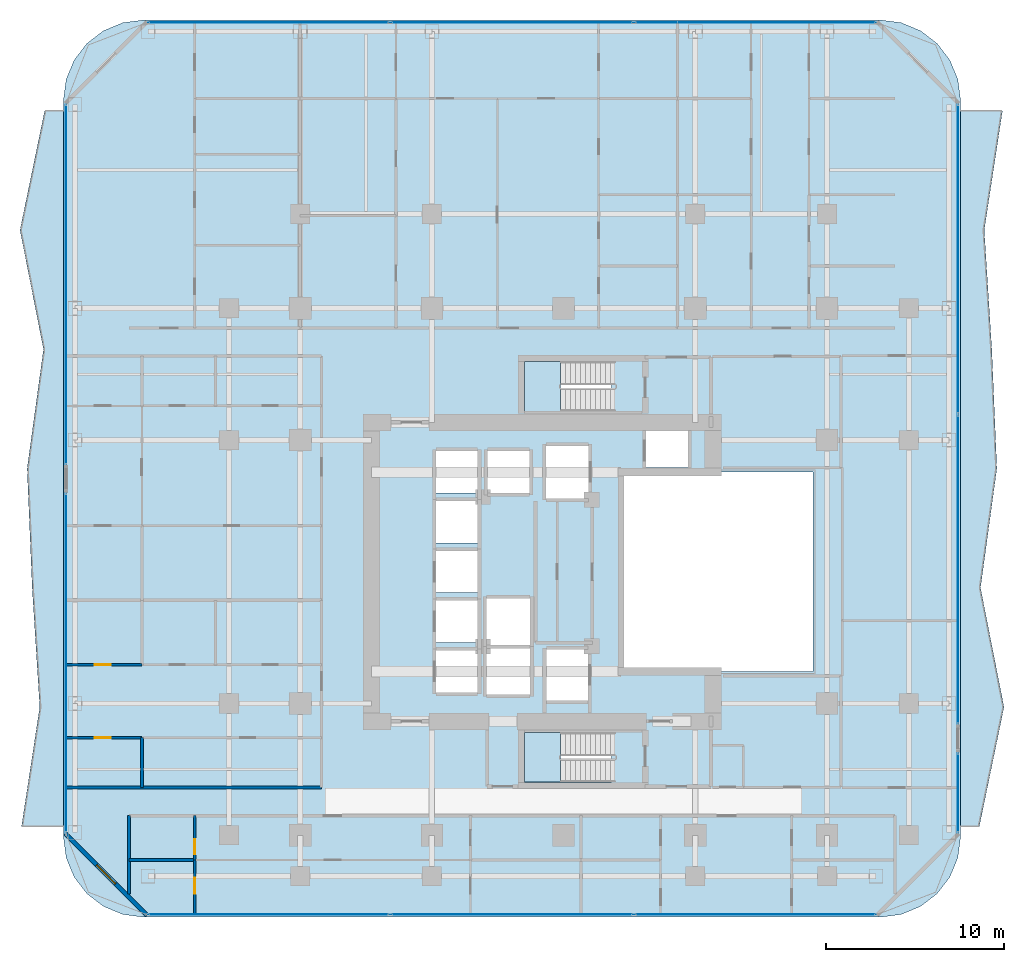
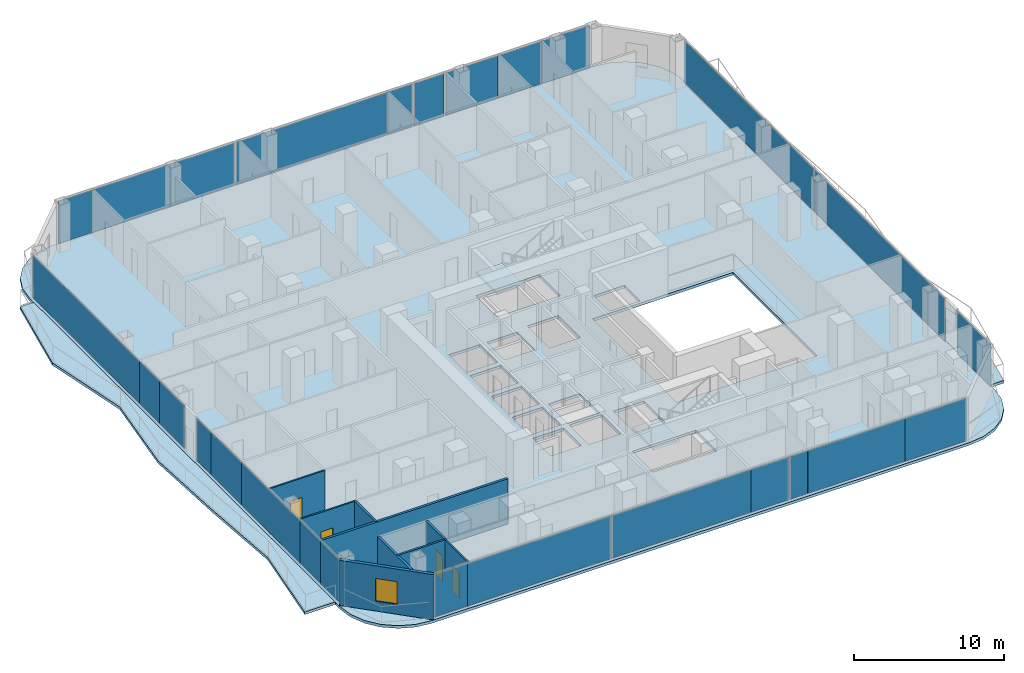
# One storey, part 18 of 27: 26 plates, 9 walls, 5 slabs, 4 doors, 1 window, 5 openings, 8 elements without a shape of their own.
"""IFC4 building model written with IfcOpenShell, lengths in metres."""

from ifc_helpers import new_model, si_unit, direction, frame, frame_2d, origin, origin_2d, place, context, subcontext, project, spatial, polyline, rectangle, outline, extrude, material, layer, layer_set, type_object, element, fill, aggregate, save


model = new_model("IFC4")

# Units and contexts
model_context = context("Model", 3, precision=1e-05, world=origin(), true_north=direction((0.0, 1.0)))
body_context = subcontext(model_context, "Body", "Model", "MODEL_VIEW")
ifc_project = project(units=[si_unit("LENGTHUNIT", "METRE"), si_unit("AREAUNIT", "SQUARE_METRE"), si_unit("VOLUMEUNIT", "CUBIC_METRE"), si_unit("PLANEANGLEUNIT", "RADIAN"), si_unit("MASSUNIT", "GRAM", prefix="KILO")], contexts=[model_context])

# Site, building, storey
site_placement = place(None, origin())
site = spatial("IfcSite", under=ifc_project, at=site_placement, CompositionType="ELEMENT")
building_placement = place(site_placement, origin())
building = spatial("IfcBuilding", under=site, at=building_placement, Name="Khorvyn Point Tower", CompositionType="ELEMENT")
storey_placement = place(building_placement, frame((0.0, 0.0, 96.89990234375)))
storey = spatial("IfcBuildingStorey", under=building, at=storey_placement, Name="L24", CompositionType="ELEMENT", Elevation=96.89990234375)

# Slabs
ifc_material_1 = material(Name="Concrete C35/45", Category="concrete")
ifc_layer_1 = layer(ifc_material_1, 0.219970703125)
ifc_layer_set_1 = layer_set([ifc_layer_1], Name="Concrete C35/45 Structural Floor Slab 220")
slab_type_1 = type_object("IfcSlabType", Name="Concrete C35/45 Structural Floor Slab 220", PredefinedType="FLOOR", material=ifc_layer_set_1)
slab_1_placement = place(storey_placement, frame((0.0, 0.0, -0.219970703125)))
element("IfcSlab", 1, at=slab_1_placement, inside=storey, type_object=slab_type_1, Name="L24 Main Structural Floor Slab", PredefinedType="FLOOR", context=body_context, shape_type="SweptSolid", body=[
    extrude(outline(polyline([(-23.60009765625, -19.39990234375), (-24.7646484375, -19.24658203125), (-25.85009765625, -18.797119140625), (-26.781982421875, -18.08203125), (-27.4970703125, -17.14990234375), (-27.94677734375, -16.064697265625), (-28.10009765625, -14.89990234375), (-28.10009765625, 26.5), (-27.94677734375, 27.664794921875), (-27.4970703125, 28.75), (-26.781982421875, 29.681884765625), (-25.85009765625, 30.397216796875), (-24.7646484375, 30.8466796875), (-23.60009765625, 31.0), (17.800048828125, 31.0), (18.964599609375, 30.8466796875), (20.050048828125, 30.397216796875), (20.98193359375, 29.681884765625), (21.697021484375, 28.75), (22.146728515625, 27.664794921875), (22.300048828125, 26.5), (22.300048828125, -14.89990234375), (22.146728515625, -16.064697265625), (21.697021484375, -17.14990234375), (20.98193359375, -18.08203125), (20.050048828125, -18.797119140625), (18.964599609375, -19.24658203125), (17.800048828125, -19.39990234375), (-23.60009765625, -19.39990234375)]), holes=[polyline([(-4.824951171875, -6.77490234375), (-4.824951171875, -4.425048828125), (-7.175048828125, -4.425048828125), (-7.175048828125, -6.77490234375), (-4.824951171875, -6.77490234375)]), polyline([(-4.324951171875, -6.89990234375), (-1.875, -6.89990234375), (-1.875, -4.300048828125), (-4.324951171875, -4.300048828125), (-4.324951171875, -6.89990234375)]), polyline([(-7.175048828125, -3.97509765625), (-4.824951171875, -3.97509765625), (-4.824951171875, -1.625), (-7.175048828125, -1.625), (-7.175048828125, -3.97509765625)]), polyline([(-7.175048828125, -1.175048828125), (-4.824951171875, -1.175048828125), (-4.824951171875, 1.175048828125), (-7.175048828125, 1.175048828125), (-7.175048828125, -1.175048828125)]), polyline([(-7.175048828125, 1.625), (-4.824951171875, 1.625), (-4.824951171875, 3.97509765625), (-7.175048828125, 3.97509765625), (-7.175048828125, 1.625)]), polyline([(-7.175048828125, 4.425048828125), (-4.824951171875, 4.425048828125), (-4.824951171875, 6.77490234375), (-7.175048828125, 6.77490234375), (-7.175048828125, 4.425048828125)]), polyline([(-4.27490234375, 4.425048828125), (-1.925048828125, 4.425048828125), (-1.925048828125, 6.77490234375), (-4.27490234375, 6.77490234375), (-4.27490234375, 4.425048828125)]), polyline([(2.679931640625, -11.820068359375), (2.679931640625, -9.02001953125), (-2.199951171875, -9.02001953125), (-2.199951171875, -11.820068359375), (2.679931640625, -11.820068359375)]), polyline([(-0.97509765625, -7.22509765625), (1.375, -7.22509765625), (1.375, -4.375), (-0.97509765625, -4.375), (-0.97509765625, -7.22509765625)]), polyline([(-4.324951171875, -4.10009765625), (-1.875, -4.10009765625), (-1.875, -1.5), (-4.324951171875, -1.5), (-4.324951171875, -4.10009765625)]), polyline([(3.199951171875, -5.60009765625), (14.0, -5.60009765625), (14.0, 5.60009765625), (3.199951171875, 5.60009765625), (3.199951171875, -5.60009765625)]), polyline([(-1.0, 4.125), (1.39990234375, 4.125), (1.39990234375, 7.074951171875), (-1.0, 7.074951171875), (-1.0, 4.125)]), polyline([(4.625, 5.85009765625), (6.97509765625, 5.85009765625), (6.97509765625, 7.905029296875), (4.625, 7.905029296875), (4.625, 5.85009765625)]), polyline([(-2.199951171875, 9.02001953125), (2.679931640625, 9.02001953125), (2.679931640625, 11.820068359375), (-2.199951171875, 11.820068359375), (-2.199951171875, 9.02001953125)])]), origin(), (0.0, 0.0, 1.0), 0.219970703125),
])
ifc_material_2 = material(Name="Concrete C40/50", Category="concrete")
ifc_layer_2 = layer(ifc_material_2, 0.2099609375)
ifc_layer_set_2 = layer_set([ifc_layer_2], Name="Concrete C40/50 Rippling Balcony Slab 210")
slab_type_2 = type_object("IfcSlabType", Name="Concrete C40/50 Rippling Balcony Slab 210", PredefinedType="USERDEFINED", material=ifc_layer_set_2)
slab_2_placement = place(storey_placement, frame((0.0, 0.0, -0.2099609375)))
element("IfcSlab", 2, at=slab_2_placement, inside=storey, type_object=slab_type_2, Name="L24 East Sinusoidal Rippling Balcony", ObjectType="BALCONY", PredefinedType="USERDEFINED", context=body_context, shape_type="SweptSolid", body=[
    extrude(outline(polyline([(22.300048828125, -14.300048828125), (23.355224609375, -14.300048828125), (24.739501953125, -7.60009765625), (23.419921875, -0.89990234375), (24.338134765625, 5.800048828125), (24.055419921875, 12.5), (23.630615234375, 19.199951171875), (24.654541015625, 25.89990234375), (22.300048828125, 25.89990234375), (22.300048828125, -14.300048828125)])), origin(), (0.0, 0.0, 1.0), 0.2099609375),
])
slab_3_placement = place(storey_placement, frame((0.0, 0.0, -0.2099609375)))
element("IfcSlab", 3, at=slab_3_placement, inside=storey, type_object=slab_type_2, Name="L24 West Sinusoidal Rippling Balcony", ObjectType="BALCONY", PredefinedType="USERDEFINED", context=body_context, shape_type="SweptSolid", body=[
    extrude(outline(polyline([(-28.10009765625, 25.89990234375), (-29.1552734375, 25.89990234375), (-30.53955078125, 19.199951171875), (-29.219970703125, 12.5), (-30.13818359375, 5.800048828125), (-29.85546875, -0.89990234375), (-29.4306640625, -7.60009765625), (-30.45458984375, -14.300048828125), (-28.10009765625, -14.300048828125), (-28.10009765625, 25.89990234375)])), origin(), (0.0, 0.0, 1.0), 0.2099609375),
])

# Stair, slab
stair_type = type_object("IfcStairType", Name="Tower Concrete C40/50 Dogleg Exit Stair", PredefinedType="HALF_TURN_STAIR", material=ifc_material_2)
stair_1_placement = place(storey_placement, origin())
stair_1 = element("IfcStair", 4, at=stair_1_placement, inside=storey, type_object=stair_type, Name="L24 Tower Smokeproof Exit Stair South", PredefinedType="HALF_TURN_STAIR")
ifc_layer_3 = layer(ifc_material_2, 0.199951171875)
ifc_layer_set_3 = layer_set([ifc_layer_3], Name="Concrete C40/50 Stair Landing Slab 200")
slab_type_3 = type_object("IfcSlabType", Name="Concrete C40/50 Stair Landing Slab 200", PredefinedType="LANDING", material=ifc_layer_set_3)
slab_4_placement = place(storey_placement, frame((0.0, 0.0, 1.75)))
slab_4 = element("IfcSlab", 5, at=slab_4_placement, type_object=slab_type_3, Name="ST-01 landing 1", PredefinedType="LANDING", context=body_context, shape_type="SweptSolid", body=[
    extrude(outline(polyline([(-0.179931640625, -9.02001953125), (-2.199951171875, -9.02001953125), (-2.199951171875, -11.820068359375), (-0.179931640625, -11.820068359375), (-0.179931640625, -9.02001953125)])), origin(), (0.0, 0.0, 1.0), 0.2001953125),
])
aggregate(stair_1, [slab_4])

stair_2_placement = place(storey_placement, origin())
stair_2 = element("IfcStair", 6, at=stair_2_placement, inside=storey, type_object=stair_type, Name="L24 Tower Smokeproof Exit Stair North", PredefinedType="HALF_TURN_STAIR")
slab_5_placement = place(storey_placement, frame((0.0, 0.0, 1.75)))
slab_5 = element("IfcSlab", 7, at=slab_5_placement, type_object=slab_type_3, Name="ST-02 landing 1", PredefinedType="LANDING", context=body_context, shape_type="SweptSolid", body=[
    extrude(outline(polyline([(-0.179931640625, 11.820068359375), (-2.199951171875, 11.820068359375), (-2.199951171875, 9.02001953125), (-0.179931640625, 9.02001953125), (-0.179931640625, 11.820068359375)])), origin(), (0.0, 0.0, 1.0), 0.2001953125),
])
aggregate(stair_2, [slab_5])

# Curtain wall, plates
ifc_material_3 = material(Name="Anodised aluminium 6063-T6 and laminated Low-E glass", Category="aluminium")
ifc_layer_4 = layer(ifc_material_3, 0.18994140625)
ifc_layer_set_4 = layer_set([ifc_layer_4], Name="Stick-Built Finned Residential Curtain Wall CW-SYS-02")
curtain_wall_type = type_object("IfcCurtainWallType", Name="Stick-Built Finned Residential Curtain Wall CW-SYS-02", PredefinedType="NOTDEFINED", material=ifc_layer_set_4)
curtain_wall_1_placement = place(storey_placement, origin())
curtain_wall_1 = element("IfcCurtainWall", 8, at=curtain_wall_1_placement, inside=storey, type_object=curtain_wall_type, Name="Curtain Wall", PredefinedType="NOTDEFINED")
ifc_material_4 = material(Name="Laminated Low-E insulated glass", Category="glass")
ifc_layer_5 = layer(ifc_material_4, 0.028076171875)
ifc_layer_set_5 = layer_set([ifc_layer_5], Name="Tempered Low-E Vision Glazing Panel CW-GL28")
plate_type = type_object("IfcPlateType", Name="Tempered Low-E Vision Glazing Panel CW-GL28", PredefinedType="CURTAIN_PANEL", material=ifc_layer_set_5)
plate_1_placement = place(storey_placement, frame((4.695068359375, -19.25, 0.10009765625), z_axis=(0.0, 0.0, 1.0), x_axis=(-1.0, 0.0, 0.0)))
plate_1 = element("IfcPlate", 9, at=plate_1_placement, type_object=plate_type, Name="Panel", PredefinedType="CURTAIN_PANEL", context=body_context, shape_type="SweptSolid", body=[
    extrude(rectangle(XDim=1.382080078125, YDim=0.028076171875, at=origin_2d()), origin(), (0.0, 0.0, 1.0), 3.47998046875),
])
plate_2_placement = place(storey_placement, frame((9.132080078125, -19.25, 0.10009765625), z_axis=(0.0, 0.0, 1.0), x_axis=(-1.0, 0.0, 0.0)))
plate_2 = element("IfcPlate", 10, at=plate_2_placement, type_object=plate_type, Name="Panel", PredefinedType="CURTAIN_PANEL", context=body_context, shape_type="SweptSolid", body=[
    extrude(rectangle(XDim=7.47607421875, YDim=0.028076171875, at=origin_2d()), origin(), (0.0, 0.0, 1.0), 3.47998046875),
])
plate_3_placement = place(storey_placement, frame((15.2119140625, -19.25, 0.10009765625), z_axis=(0.0, 0.0, 1.0), x_axis=(-1.0, 0.0, 0.0)))
plate_3 = element("IfcPlate", 11, at=plate_3_placement, type_object=plate_type, Name="Panel", PredefinedType="CURTAIN_PANEL", context=body_context, shape_type="SweptSolid", body=[
    extrude(rectangle(XDim=4.66796875, YDim=0.028076171875, at=origin_2d()), origin(), (0.0, 0.0, 1.0), 3.47998046875),
])
plate_4_placement = place(storey_placement, frame((-4.3330078125, -19.25, 0.10009765625), z_axis=(0.0, 0.0, 1.0), x_axis=(-1.0, 0.0, 0.0)))
plate_4 = element("IfcPlate", 12, at=plate_4_placement, type_object=plate_type, Name="Panel", PredefinedType="CURTAIN_PANEL", context=body_context, shape_type="SweptSolid", body=[
    extrude(rectangle(XDim=10.72607421875, YDim=0.028076171875, at=origin_2d()), origin(), (0.0, 0.0, 1.0), 3.47998046875),
])
plate_5_placement = place(storey_placement, frame((2.467041015625, -19.25, 0.10009765625), z_axis=(0.0, 0.0, 1.0), x_axis=(-1.0, 0.0, 0.0)))
plate_5 = element("IfcPlate", 13, at=plate_5_placement, type_object=plate_type, Name="Panel", PredefinedType="CURTAIN_PANEL", context=body_context, shape_type="SweptSolid", body=[
    extrude(rectangle(XDim=2.85791015625, YDim=0.028076171875, at=origin_2d()), origin(), (0.0, 0.0, 1.0), 3.47998046875),
])
plate_6_placement = place(storey_placement, frame((-22.0673828125, -19.25, 0.10009765625), z_axis=(0.0, 0.0, 1.0), x_axis=(-1.0, 0.0, 0.0)))
plate_6 = element("IfcPlate", 14, at=plate_6_placement, type_object=plate_type, Name="Panel", PredefinedType="CURTAIN_PANEL", context=body_context, shape_type="SweptSolid", body=[
    extrude(rectangle(XDim=2.556884765625, YDim=0.028076171875, at=origin_2d()), origin(), (0.0, 0.0, 1.0), 3.47998046875),
])
plate_7_placement = place(storey_placement, frame((-15.29248046875, -19.25, 0.10009765625), z_axis=(0.0, 0.0, 1.0), x_axis=(-1.0, 0.0, 0.0)))
plate_7 = element("IfcPlate", 15, at=plate_7_placement, type_object=plate_type, Name="Panel", PredefinedType="CURTAIN_PANEL", context=body_context, shape_type="SweptSolid", body=[
    extrude(rectangle(XDim=10.97705078125, YDim=0.028076171875, at=origin_2d()), origin(), (0.0, 0.0, 1.0), 3.47998046875),
])
aggregate(curtain_wall_1, [plate_1, plate_2, plate_3, plate_4, plate_5, plate_6, plate_7])

curtain_wall_2_placement = place(storey_placement, origin())
curtain_wall_2 = element("IfcCurtainWall", 16, at=curtain_wall_2_placement, inside=storey, type_object=curtain_wall_type, Name="Curtain Wall", PredefinedType="NOTDEFINED")
plate_8_placement = place(storey_placement, frame((-19.049072265625, 30.85009765625, 0.10009765625), z_axis=(0.0, 0.0, 1.0), x_axis=(1.0, 0.0, 0.0)))
plate_8 = element("IfcPlate", 17, at=plate_8_placement, type_object=plate_type, Name="Panel", PredefinedType="CURTAIN_PANEL", context=body_context, shape_type="SweptSolid", body=[
    extrude(rectangle(XDim=8.593994140625, YDim=0.028076171875, at=origin_2d()), origin(), (0.0, 0.0, 1.0), 3.47998046875),
])
plate_9_placement = place(storey_placement, frame((-12.27392578125, 30.85009765625, 0.10009765625), z_axis=(0.0, 0.0, 1.0), x_axis=(1.0, 0.0, 0.0)))
plate_9 = element("IfcPlate", 18, at=plate_9_placement, type_object=plate_type, Name="Panel", PredefinedType="CURTAIN_PANEL", context=body_context, shape_type="SweptSolid", body=[
    extrude(rectangle(XDim=4.93994140625, YDim=0.028076171875, at=origin_2d()), origin(), (0.0, 0.0, 1.0), 3.47998046875),
])
plate_10_placement = place(storey_placement, frame((-3.83642578125, 30.85009765625, 0.10009765625), z_axis=(0.0, 0.0, 1.0), x_axis=(1.0, 0.0, 0.0)))
plate_10 = element("IfcPlate", 19, at=plate_10_placement, type_object=plate_type, Name="Panel", PredefinedType="CURTAIN_PANEL", context=body_context, shape_type="SweptSolid", body=[
    extrude(rectangle(XDim=11.718994140625, YDim=0.028076171875, at=origin_2d()), origin(), (0.0, 0.0, 1.0), 3.47998046875),
])
plate_11_placement = place(storey_placement, frame((2.96337890625, 30.85009765625, 0.10009765625), z_axis=(0.0, 0.0, 1.0), x_axis=(1.0, 0.0, 0.0)))
plate_11 = element("IfcPlate", 20, at=plate_11_placement, type_object=plate_type, Name="Panel", PredefinedType="CURTAIN_PANEL", context=body_context, shape_type="SweptSolid", body=[
    extrude(rectangle(XDim=1.864990234375, YDim=0.028076171875, at=origin_2d()), origin(), (0.0, 0.0, 1.0), 3.47998046875),
])
plate_12_placement = place(storey_placement, frame((5.172119140625, 30.85009765625, 0.10009765625), z_axis=(0.0, 0.0, 1.0), x_axis=(1.0, 0.0, 0.0)))
plate_12 = element("IfcPlate", 21, at=plate_12_placement, type_object=plate_type, Name="Panel", PredefinedType="CURTAIN_PANEL", context=body_context, shape_type="SweptSolid", body=[
    extrude(rectangle(XDim=2.3359375, YDim=0.028076171875, at=origin_2d()), origin(), (0.0, 0.0, 1.0), 3.47998046875),
])
plate_13_placement = place(storey_placement, frame((8.468505859375, 30.85009765625, 0.10009765625), z_axis=(0.0, 0.0, 1.0), x_axis=(1.0, 0.0, 0.0)))
plate_13 = element("IfcPlate", 22, at=plate_13_placement, type_object=plate_type, Name="Panel", PredefinedType="CURTAIN_PANEL", context=body_context, shape_type="SweptSolid", body=[
    extrude(rectangle(XDim=4.0009765625, YDim=0.028076171875, at=origin_2d()), origin(), (0.0, 0.0, 1.0), 3.47998046875),
])
plate_14_placement = place(storey_placement, frame((12.157958984375, 30.85009765625, 0.10009765625), z_axis=(0.0, 0.0, 1.0), x_axis=(1.0, 0.0, 0.0)))
plate_14 = element("IfcPlate", 23, at=plate_14_placement, type_object=plate_type, Name="Panel", PredefinedType="CURTAIN_PANEL", context=body_context, shape_type="SweptSolid", body=[
    extrude(rectangle(XDim=3.362060546875, YDim=0.028076171875, at=origin_2d()), origin(), (0.0, 0.0, 1.0), 3.47998046875),
])
plate_15_placement = place(storey_placement, frame((15.696533203125, 30.85009765625, 0.10009765625), z_axis=(0.0, 0.0, 1.0), x_axis=(1.0, 0.0, 0.0)))
plate_15 = element("IfcPlate", 24, at=plate_15_placement, type_object=plate_type, Name="Panel", PredefinedType="CURTAIN_PANEL", context=body_context, shape_type="SweptSolid", body=[
    extrude(rectangle(XDim=3.698974609375, YDim=0.028076171875, at=origin_2d()), origin(), (0.0, 0.0, 1.0), 3.47998046875),
])
aggregate(curtain_wall_2, [plate_8, plate_9, plate_10, plate_11, plate_12, plate_13, plate_14, plate_15])

curtain_wall_3_placement = place(storey_placement, origin())
curtain_wall_3 = element("IfcCurtainWall", 25, at=curtain_wall_3_placement, inside=storey, type_object=curtain_wall_type, Name="Curtain Wall", PredefinedType="NOTDEFINED")
plate_16_placement = place(storey_placement, frame((-27.949951171875, -13.35498046875, 0.10009765625), z_axis=(0.0, 0.0, 1.0), x_axis=(0.0, 1.0, 0.0)))
plate_16 = element("IfcPlate", 26, at=plate_16_placement, type_object=plate_type, Name="Panel", PredefinedType="CURTAIN_PANEL", context=body_context, shape_type="SweptSolid", body=[
    extrude(rectangle(XDim=2.58203125, YDim=0.028076171875, at=origin_2d()), origin(), (0.0, 0.0, 1.0), 3.47998046875),
])
plate_17_placement = place(storey_placement, frame((-27.949951171875, -10.719970703125, 0.10009765625), z_axis=(0.0, 0.0, 1.0), x_axis=(0.0, 1.0, 0.0)))
plate_17 = element("IfcPlate", 27, at=plate_17_placement, type_object=plate_type, Name="Panel", PredefinedType="CURTAIN_PANEL", context=body_context, shape_type="SweptSolid", body=[
    extrude(rectangle(XDim=2.672119140625, YDim=0.028076171875, at=origin_2d()), origin(), (0.0, 0.0, 1.0), 3.47998046875),
])
plate_18_placement = place(storey_placement, frame((-27.949951171875, -5.4599609375, 0.10009765625), z_axis=(0.0, 0.0, 1.0), x_axis=(0.0, 1.0, 0.0)))
plate_18 = element("IfcPlate", 28, at=plate_18_placement, type_object=plate_type, Name="Panel", PredefinedType="CURTAIN_PANEL", context=body_context, shape_type="SweptSolid", body=[
    extrude(rectangle(XDim=7.83203125, YDim=0.028076171875, at=origin_2d()), origin(), (0.0, 0.0, 1.0), 3.47998046875),
])
plate_19_placement = place(storey_placement, frame((-27.949951171875, 0.49560546875, 0.10009765625), z_axis=(0.0, 0.0, 1.0), x_axis=(0.0, 1.0, 0.0)))
plate_19 = element("IfcPlate", 29, at=plate_19_placement, type_object=plate_type, Name="Panel", PredefinedType="CURTAIN_PANEL", context=body_context, shape_type="SweptSolid", body=[
    extrude(rectangle(XDim=4.06298828125, YDim=0.028076171875, at=origin_2d()), origin(), (0.0, 0.0, 1.0), 3.47998046875),
])
plate_20_placement = place(storey_placement, frame((-27.949951171875, 3.46044921875, 0.10009765625), z_axis=(0.0, 0.0, 1.0), x_axis=(0.0, 1.0, 0.0)))
plate_20 = element("IfcPlate", 30, at=plate_20_placement, type_object=plate_type, Name="Panel", PredefinedType="CURTAIN_PANEL", context=body_context, shape_type="SweptSolid", body=[
    extrude(rectangle(XDim=1.85107421875, YDim=0.028076171875, at=origin_2d()), origin(), (0.0, 0.0, 1.0), 3.47998046875),
])
aggregate(curtain_wall_3, [plate_16, plate_17, plate_18, plate_19, plate_20])

curtain_wall_4_placement = place(storey_placement, origin())
curtain_wall_4 = element("IfcCurtainWall", 31, at=curtain_wall_4_placement, inside=storey, type_object=curtain_wall_type, Name="Curtain Wall", PredefinedType="NOTDEFINED")
plate_21_placement = place(storey_placement, frame((-27.949951171875, 7.705078125, 0.10009765625), z_axis=(0.0, 0.0, 1.0), x_axis=(0.0, 1.0, 0.0)))
plate_21 = element("IfcPlate", 32, at=plate_21_placement, type_object=plate_type, Name="Panel", PredefinedType="CURTAIN_PANEL", context=body_context, shape_type="SweptSolid", body=[
    extrude(rectangle(XDim=3.342041015625, YDim=0.028076171875, at=origin_2d()), origin(), (0.0, 0.0, 1.0), 3.47998046875),
])
plate_22_placement = place(storey_placement, frame((-27.949951171875, 10.719970703125, 0.10009765625), z_axis=(0.0, 0.0, 1.0), x_axis=(0.0, 1.0, 0.0)))
plate_22 = element("IfcPlate", 33, at=plate_22_placement, type_object=plate_type, Name="Panel", PredefinedType="CURTAIN_PANEL", context=body_context, shape_type="SweptSolid", body=[
    extrude(rectangle(XDim=2.672119140625, YDim=0.028076171875, at=origin_2d()), origin(), (0.0, 0.0, 1.0), 3.47998046875),
])
plate_23_placement = place(storey_placement, frame((-27.949951171875, 19.155029296875, 0.10009765625), z_axis=(0.0, 0.0, 1.0), x_axis=(0.0, 1.0, 0.0)))
plate_23 = element("IfcPlate", 34, at=plate_23_placement, type_object=plate_type, Name="Panel", PredefinedType="CURTAIN_PANEL", context=body_context, shape_type="SweptSolid", body=[
    extrude(rectangle(XDim=14.181884765625, YDim=0.028076171875, at=origin_2d()), origin(), (0.0, 0.0, 1.0), 3.47998046875),
])
aggregate(curtain_wall_4, [plate_21, plate_22, plate_23])

curtain_wall_5_placement = place(storey_placement, origin())
curtain_wall_5 = element("IfcCurtainWall", 35, at=curtain_wall_5_placement, inside=storey, type_object=curtain_wall_type, Name="Curtain Wall", PredefinedType="NOTDEFINED")
plate_24_placement = place(storey_placement, frame((22.14990234375, 17.57568359375, 0.10009765625), z_axis=(0.0, 0.0, 1.0), x_axis=(0.0, -1.0, 0.0)))
plate_24 = element("IfcPlate", 36, at=plate_24_placement, type_object=plate_type, Name="Panel", PredefinedType="CURTAIN_PANEL", context=body_context, shape_type="SweptSolid", body=[
    extrude(rectangle(XDim=17.348388671875, YDim=0.028076171875, at=origin_2d()), origin(), (0.0, 0.0, 1.0), 3.47998046875),
])
plate_25_placement = place(storey_placement, frame((22.14990234375, 0.127197265625, 0.10009765625), z_axis=(0.0, 0.0, 1.0), x_axis=(0.0, -1.0, 0.0)))
plate_25 = element("IfcPlate", 37, at=plate_25_placement, type_object=plate_type, Name="Panel", PredefinedType="CURTAIN_PANEL", context=body_context, shape_type="SweptSolid", body=[
    extrude(rectangle(XDim=17.348388671875, YDim=0.028076171875, at=origin_2d()), origin(), (0.0, 0.0, 1.0), 3.47998046875),
])
aggregate(curtain_wall_5, [plate_24, plate_25])

# Curtain wall, plate
curtain_wall_6_placement = place(storey_placement, origin())
curtain_wall_6 = element("IfcCurtainWall", 38, at=curtain_wall_6_placement, inside=storey, type_object=curtain_wall_type, Name="Curtain Wall", PredefinedType="NOTDEFINED")
plate_26_placement = place(storey_placement, frame((22.14990234375, -12.41845703125, 0.10009765625), z_axis=(0.0, 0.0, 1.0), x_axis=(0.0, -1.0, 0.0)))
plate_26 = element("IfcPlate", 39, at=plate_26_placement, type_object=plate_type, Name="Panel", PredefinedType="CURTAIN_PANEL", context=body_context, shape_type="SweptSolid", body=[
    extrude(rectangle(XDim=4.462890625, YDim=0.028076171875, at=origin_2d()), origin(), (0.0, 0.0, 1.0), 3.47998046875),
])
aggregate(curtain_wall_6, [plate_26])

# Walls
ifc_material_5 = material(Name="Double acoustic gypsum on twin steel stud", Category="steel")
ifc_layer_6 = layer(ifc_material_5, 0.179931640625)
ifc_layer_set_6 = layer_set([ifc_layer_6], Name="Acoustic Double-Stud Apartment Demising Wall 180")
wall_type_1 = type_object("IfcWallType", Name="Acoustic Double-Stud Apartment Demising Wall 180", PredefinedType="PARTITIONING", material=ifc_layer_set_6)
wall_1_placement = place(storey_placement, frame((-24.419921875, -18.110107421875, 0.0), z_axis=(0.0, 0.0, 1.0), x_axis=(0.0, 1.0, 0.0)))
element("IfcWall", 40, at=wall_1_placement, inside=storey, type_object=wall_type_1, Name="Wall", PredefinedType="PARTITIONING", context=body_context, shape_type="SweptSolid", body=[
    extrude(rectangle(XDim=4.41015625, YDim=0.179931640625, at=frame_2d((2.205078125, 0.0))), origin(), (0.0, 0.0, 1.0), 3.68017578125),
])
wall_2_placement = place(storey_placement, frame((-27.929931640625, -12.1201171875, 0.0), z_axis=(0.0, 0.0, 1.0), x_axis=(1.0, 0.0, 0.0)))
element("IfcWall", 41, at=wall_2_placement, inside=storey, type_object=wall_type_1, Name="Wall", PredefinedType="PARTITIONING", context=body_context, shape_type="SweptSolid", body=[
    extrude(rectangle(XDim=14.329833984375, YDim=0.179931640625, at=frame_2d((7.1650390625, 0.0))), origin(), (0.0, 0.0, 1.0), 3.68017578125),
])

# Wall, opening, window
ifc_material_6 = material(Name="Pale anodised aluminium rainscreen on steel stud", Category="steel")
ifc_layer_7 = layer(ifc_material_6, 0.239990234375)
ifc_layer_set_7 = layer_set([ifc_layer_7], Name="Anodised Aluminium Insulated Corner Spandrel Wall 240")
wall_type_2 = type_object("IfcWallType", Name="Anodised Aluminium Insulated Corner Spandrel Wall 240", PredefinedType="SOLIDWALL", material=ifc_layer_set_7)
wall_3_placement = place(storey_placement, frame((-23.40771484375, -19.29248046875, 0.0), z_axis=(0.0, 0.0, 1.0), x_axis=(-0.707087954376, 0.707125607496, 0.0)))
wall_3 = element("IfcWall", 42, at=wall_3_placement, inside=storey, type_object=wall_type_2, Name="L24 Rounded Corner Wall SW", PredefinedType="SOLIDWALL", context=body_context, shape_type="SweptSolid", body=[
    extrude(rectangle(XDim=6.48388671875, YDim=0.239990234375, at=frame_2d((3.241943359375, 0.0))), origin(), (0.0, 0.0, 1.0), 3.68017578125),
])
opening_1_placement = place(wall_3_placement, frame((2.491943359375, 0.0, 0.800048828125)))
opening_1 = element("IfcOpeningElement", 43, at=opening_1_placement, cuts=wall_3, Name="Opening WN-1518", PredefinedType="OPENING", context=body_context, shape_type="SweptSolid", body=[
    extrude(rectangle(XDim=1.5, YDim=1.85009765625, at=frame_2d((0.75, 0.925048828125))), frame((0.0, 0.1298828125, 0.0), z_axis=(0.0, -1.0, 0.0), x_axis=(1.0, 0.0, 0.0)), (0.0, 0.0, 1.0), 0.260009765625),
])
window_type = type_object("IfcWindowType", Name="Anodised Aluminium Rounded-Corner Panoramic Window 1500x1850", PartitioningType="SINGLE_PANEL", PredefinedType="WINDOW", material=ifc_material_3)
window_placement = place(opening_1_placement, origin())
window = element("IfcWindow", 44, at=window_placement, inside=storey, type_object=window_type, Name="L24 Corner Panoramic Window SW", OverallHeight=1.85009765625, OverallWidth=1.5, PartitioningType="SINGLE_PANEL", PredefinedType="WINDOW", context=body_context, shape_type="SweptSolid", body=[
    extrude(rectangle(XDim=1.5, YDim=1.85009765625, at=frame_2d((0.75, 0.925048828125))), frame((0.0, 0.030029296875, 0.0), z_axis=(0.0, -1.0, 0.0), x_axis=(1.0, 0.0, 0.0)), (0.0, 0.0, 1.0), 0.06005859375),
])
fill(opening_1, window)

# Wall, opening, door
ifc_material_7 = material(Name="Gypsum plasterboard on steel stud", Category="steel")
ifc_layer_8 = layer(ifc_material_7, 0.1201171875)
ifc_layer_set_8 = layer_set([ifc_layer_8], Name="Gypsum Acoustic Stud Room Partition Wall 120")
wall_type_3 = type_object("IfcWallType", Name="Gypsum Acoustic Stud Room Partition Wall 120", PredefinedType="PARTITIONING", material=ifc_layer_set_8)
wall_4_placement = place(storey_placement, frame((-20.72509765625, -19.22998046875, 0.0), z_axis=(0.0, 0.0, 1.0), x_axis=(0.0, 1.0, 0.0)))
wall_4 = element("IfcWall", 45, at=wall_4_placement, inside=storey, type_object=wall_type_3, Name="Wall", PredefinedType="PARTITIONING", context=body_context, shape_type="SweptSolid", body=[
    extrude(rectangle(XDim=3.0400390625, YDim=0.1201171875, at=frame_2d((1.52001953125, 0.0))), origin(), (0.0, 0.0, 1.0), 3.68017578125),
])
opening_2_placement = place(wall_4_placement, frame((1.152587890625, 0.0, 0.0)))
opening_2 = element("IfcOpeningElement", 46, at=opening_2_placement, cuts=wall_4, Name="Opening ID-RM90", PredefinedType="OPENING", context=body_context, shape_type="SweptSolid", body=[
    extrude(rectangle(XDim=0.89990234375, YDim=2.10009765625, at=frame_2d((0.449951171875, 1.050048828125))), frame((0.0, 0.070068359375, 0.0), z_axis=(0.0, -1.0, 0.0), x_axis=(1.0, 0.0, 0.0)), (0.0, 0.0, 1.0), 0.14013671875),
])
ifc_material_8 = material(Name="Engineered oak veneer timber", Category="wood")
door_type_1 = type_object("IfcDoorType", Name="Flush Engineered Timber Room Door 900x2100", OperationType="NOTDEFINED", PredefinedType="DOOR", material=ifc_material_8)
door_1_placement = place(opening_2_placement, origin())
door_1 = element("IfcDoor", 47, at=door_1_placement, inside=storey, type_object=door_type_1, Name="Door", OperationType="SINGLE_SWING_RIGHT", OverallHeight=2.10009765625, OverallWidth=0.89990234375, PredefinedType="DOOR", context=body_context, shape_type="SweptSolid", body=[
    extrude(rectangle(XDim=0.89990234375, YDim=2.10009765625, at=frame_2d((0.449951171875, 1.050048828125))), frame((0.0, 0.02490234375, 0.0), z_axis=(0.0, -1.0, 0.0), x_axis=(1.0, 0.0, 0.0)), (0.0, 0.0, 1.0), 0.050048828125),
])
fill(opening_2, door_1)

wall_5_placement = place(storey_placement, frame((-27.929931640625, -9.320068359375, 0.0), z_axis=(0.0, 0.0, 1.0), x_axis=(1.0, 0.0, 0.0)))
wall_5 = element("IfcWall", 48, at=wall_5_placement, inside=storey, type_object=wall_type_3, Name="Wall", PredefinedType="PARTITIONING", context=body_context, shape_type="SweptSolid", body=[
    extrude(rectangle(XDim=4.239990234375, YDim=0.1201171875, at=frame_2d((2.1201171875, 0.0))), origin(), (0.0, 0.0, 1.0), 3.68017578125),
])
opening_3_placement = place(wall_5_placement, frame((1.581298828125, 0.0, 0.0)))
opening_3 = element("IfcOpeningElement", 49, at=opening_3_placement, cuts=wall_5, Name="Opening ID-RM90", PredefinedType="OPENING", context=body_context, shape_type="SweptSolid", body=[
    extrude(rectangle(XDim=0.89990234375, YDim=2.10009765625, at=frame_2d((0.449951171875, 1.050048828125))), frame((0.0, 0.070068359375, 0.0), z_axis=(0.0, -1.0, 0.0), x_axis=(1.0, 0.0, 0.0)), (0.0, 0.0, 1.0), 0.14013671875),
])
door_2_placement = place(opening_3_placement, origin())
door_2 = element("IfcDoor", 50, at=door_2_placement, inside=storey, type_object=door_type_1, Name="Door", OperationType="SINGLE_SWING_RIGHT", OverallHeight=2.10009765625, OverallWidth=0.89990234375, PredefinedType="DOOR", context=body_context, shape_type="SweptSolid", body=[
    extrude(rectangle(XDim=0.89990234375, YDim=2.10009765625, at=frame_2d((0.449951171875, 1.050048828125))), frame((0.0, 0.02490234375, 0.0), z_axis=(0.0, -1.0, 0.0), x_axis=(1.0, 0.0, 0.0)), (0.0, 0.0, 1.0), 0.050048828125),
])
fill(opening_3, door_2)

wall_6_placement = place(storey_placement, frame((-27.929931640625, -5.22412109375, 0.0), z_axis=(0.0, 0.0, 1.0), x_axis=(1.0, 0.0, 0.0)))
wall_6 = element("IfcWall", 51, at=wall_6_placement, inside=storey, type_object=wall_type_3, Name="Wall", PredefinedType="PARTITIONING", context=body_context, shape_type="SweptSolid", body=[
    extrude(rectangle(XDim=4.239990234375, YDim=0.1201171875, at=frame_2d((2.1201171875, 0.0))), origin(), (0.0, 0.0, 1.0), 3.68017578125),
])
opening_4_placement = place(wall_6_placement, frame((1.581298828125, 0.0, 0.0)))
opening_4 = element("IfcOpeningElement", 52, at=opening_4_placement, cuts=wall_6, Name="Opening ID-RM90", PredefinedType="OPENING", context=body_context, shape_type="SweptSolid", body=[
    extrude(rectangle(XDim=0.89990234375, YDim=2.10009765625, at=frame_2d((0.449951171875, 1.050048828125))), frame((0.0, 0.070068359375, 0.0), z_axis=(0.0, -1.0, 0.0), x_axis=(1.0, 0.0, 0.0)), (0.0, 0.0, 1.0), 0.14013671875),
])
door_3_placement = place(opening_4_placement, origin())
door_3 = element("IfcDoor", 53, at=door_3_placement, inside=storey, type_object=door_type_1, Name="Door", OperationType="SINGLE_SWING_LEFT", OverallHeight=2.10009765625, OverallWidth=0.89990234375, PredefinedType="DOOR", context=body_context, shape_type="SweptSolid", body=[
    extrude(rectangle(XDim=0.89990234375, YDim=2.10009765625, at=frame_2d((0.449951171875, 1.050048828125))), frame((0.0, 0.02490234375, 0.0), z_axis=(0.0, -1.0, 0.0), x_axis=(1.0, 0.0, 0.0)), (0.0, 0.0, 1.0), 0.050048828125),
])
fill(opening_4, door_3)

ifc_material_9 = material(Name="Moisture-resistant gypsum and cement board", Category="gypsum")
ifc_layer_9 = layer(ifc_material_9, 0.14990234375)
ifc_layer_set_9 = layer_set([ifc_layer_9], Name="Moisture-Resistant Wet-Room Partition Wall 150")
wall_type_4 = type_object("IfcWallType", Name="Moisture-Resistant Wet-Room Partition Wall 150", PredefinedType="PARTITIONING", material=ifc_layer_set_9)
wall_7_placement = place(storey_placement, frame((-20.72509765625, -16.18994140625, 0.0), z_axis=(0.0, 0.0, 1.0), x_axis=(0.0, 1.0, 0.0)))
wall_7 = element("IfcWall", 54, at=wall_7_placement, inside=storey, type_object=wall_type_4, Name="Wall", PredefinedType="PARTITIONING", context=body_context, shape_type="SweptSolid", body=[
    extrude(rectangle(XDim=2.489990234375, YDim=0.14990234375, at=frame_2d((1.2451171875, 0.0))), origin(), (0.0, 0.0, 1.0), 3.68017578125),
])
opening_5_placement = place(wall_7_placement, frame((0.324951171875, 0.0, 0.0)))
opening_5 = element("IfcOpeningElement", 55, at=opening_5_placement, cuts=wall_7, Name="Opening ID-WC85", PredefinedType="OPENING", context=body_context, shape_type="SweptSolid", body=[
    extrude(rectangle(XDim=0.85009765625, YDim=2.10009765625, at=frame_2d((0.425048828125, 1.050048828125))), frame((0.0, 0.0849609375, 0.0), z_axis=(0.0, -1.0, 0.0), x_axis=(1.0, 0.0, 0.0)), (0.0, 0.0, 1.0), 0.169921875),
])
ifc_material_10 = material(Name="High-pressure laminate on moisture-resistant core", Category="wood")
door_type_2 = type_object("IfcDoorType", Name="Moisture-Resistant Accessible Washroom Door 850x2100", OperationType="NOTDEFINED", PredefinedType="DOOR", material=ifc_material_10)
door_4_placement = place(opening_5_placement, origin())
door_4 = element("IfcDoor", 56, at=door_4_placement, inside=storey, type_object=door_type_2, Name="Door", OperationType="SINGLE_SWING_LEFT", OverallHeight=2.10009765625, OverallWidth=0.85009765625, PredefinedType="DOOR", context=body_context, shape_type="SweptSolid", body=[
    extrude(rectangle(XDim=0.85009765625, YDim=2.10009765625, at=frame_2d((0.425048828125, 1.050048828125))), frame((0.0, 0.02490234375, 0.0), z_axis=(0.0, -1.0, 0.0), x_axis=(1.0, 0.0, 0.0)), (0.0, 0.0, 1.0), 0.050048828125),
])
fill(opening_5, door_4)

# Walls
wall_8_placement = place(storey_placement, frame((-24.419921875, -16.18994140625, 0.0), z_axis=(0.0, 0.0, 1.0), x_axis=(1.0, 0.0, 0.0)))
element("IfcWall", 57, at=wall_8_placement, inside=storey, type_object=wall_type_4, Name="Wall", PredefinedType="PARTITIONING", context=body_context, shape_type="SweptSolid", body=[
    extrude(rectangle(XDim=3.69482421875, YDim=0.14990234375, at=frame_2d((1.847412109375, 0.0))), origin(), (0.0, 0.0, 1.0), 3.68017578125),
])
wall_9_placement = place(storey_placement, frame((-23.68994140625, -12.1201171875, 0.0), z_axis=(0.0, 0.0, 1.0), x_axis=(0.0, 1.0, 0.0)))
element("IfcWall", 58, at=wall_9_placement, inside=storey, type_object=wall_type_4, Name="Wall", PredefinedType="PARTITIONING", context=body_context, shape_type="SweptSolid", body=[
    extrude(rectangle(XDim=2.800048828125, YDim=0.14990234375, at=frame_2d((1.39990234375, 0.0))), origin(), (0.0, 0.0, 1.0), 3.68017578125),
])

save(model, "model.ifc")
